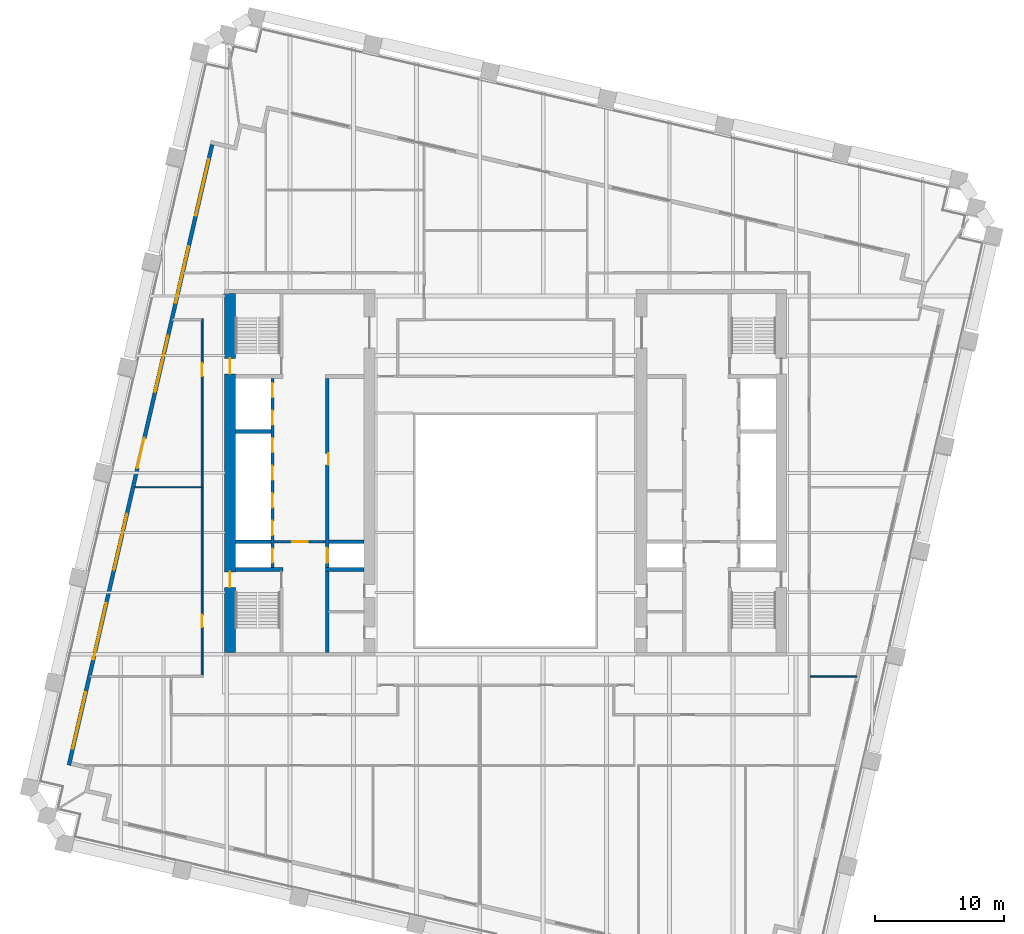
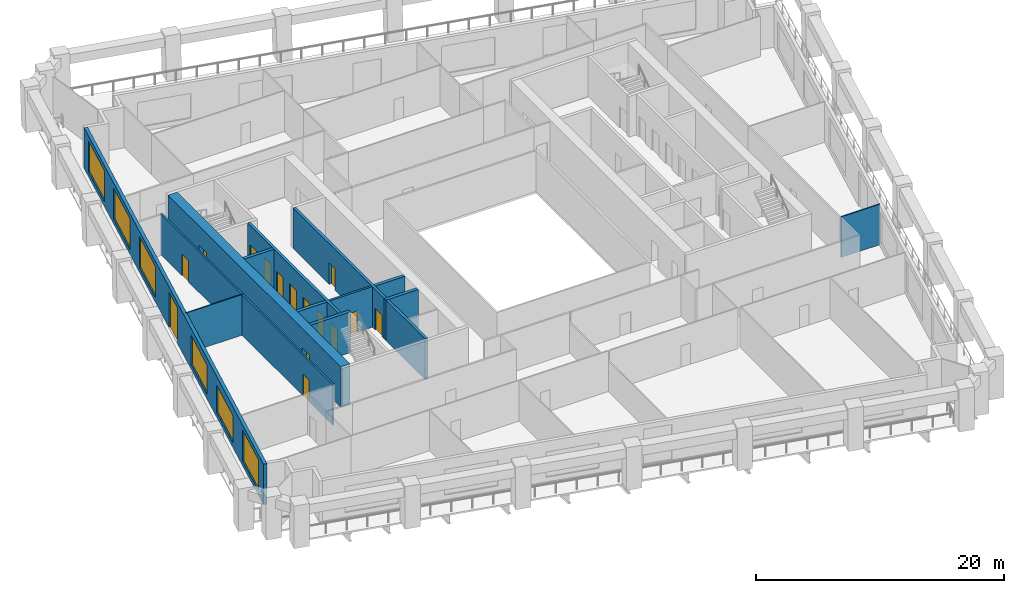
# One storey, part 5 of 10: 15 doors, 14 walls, 6 windows, 21 openings.
"""IFC4 building model written with IfcOpenShell, lengths in metres."""

from ifc_helpers import new_model, si_unit, direction, frame, frame_2d, origin, place, context, subcontext, project, spatial, rectangle, extrude, material, layer, layer_set, type_object, element, fill, save


model = new_model("IFC4")

# Units and contexts
model_context = context("Model", 3, precision=1e-05, world=origin(), true_north=direction((0.0, 1.0)))
body_context = subcontext(model_context, "Body", "Model", "MODEL_VIEW")
ifc_project = project(units=[si_unit("LENGTHUNIT", "METRE"), si_unit("AREAUNIT", "SQUARE_METRE"), si_unit("VOLUMEUNIT", "CUBIC_METRE"), si_unit("PLANEANGLEUNIT", "RADIAN"), si_unit("MASSUNIT", "GRAM", prefix="KILO")], contexts=[model_context])

# Site, building, storey
site_placement = place(None, origin())
site = spatial("IfcSite", under=ifc_project, at=site_placement, CompositionType="ELEMENT")
building_placement = place(site_placement, origin())
building = spatial("IfcBuilding", under=site, at=building_placement, Name="Ogive Exchange Tower", CompositionType="ELEMENT")
storey_placement = place(building_placement, frame((0.0, 0.0, 143.39990234375)))
storey = spatial("IfcBuildingStorey", under=building, at=storey_placement, Name="L31", CompositionType="ELEMENT", Elevation=143.39990234375)

# Wall, opening, door
ifc_material_1 = material(Name="Fire partition EI 60 150")
ifc_layer_1 = layer(ifc_material_1, 0.14990234375)
ifc_layer_set_1 = layer_set([ifc_layer_1], Name="Fire partition EI 60 150")
wall_type_1 = type_object("IfcWallType", Name="Fire partition EI 60 150", PredefinedType="PARTITIONING", material=ifc_layer_set_1)
wall_1_placement = place(storey_placement, frame((-23.60009765625, -4.2451171875, 0.0), z_axis=(0.0, 0.0, 1.0), x_axis=(0.0, 1.0, 0.0)))
wall_1 = element("IfcWall", 1, at=wall_1_placement, inside=storey, type_object=wall_type_1, Name="L31-PWL-008", PredefinedType="PARTITIONING", context=body_context, shape_type="SweptSolid", body=[
    extrude(rectangle(XDim=14.68505859375, YDim=0.14990234375, at=frame_2d((7.342529296875, 0.0))), origin(), (0.0, 0.0, 1.0), 4.0),
])
opening_1_placement = place(wall_1_placement, frame((3.735107421875, 0.0, 0.0)))
opening_1 = element("IfcOpeningElement", 2, at=opening_1_placement, cuts=wall_1, Name="Opening L31-I12", PredefinedType="OPENING", context=body_context, shape_type="SweptSolid", body=[
    extrude(rectangle(XDim=1.0, YDim=2.10009765625, at=frame_2d((0.5, 1.050048828125))), frame((0.0, 0.0849609375, 0.0), z_axis=(0.0, -1.0, 0.0), x_axis=(1.0, 0.0, 0.0)), (0.0, 0.0, 1.0), 0.169921875),
])
ifc_material_2 = material(Name="Fire door FD 30S 1000 x 2100")
door_type_1 = type_object("IfcDoorType", Name="Fire door FD 30S 1000 x 2100", OperationType="NOTDEFINED", PredefinedType="DOOR", material=ifc_material_2)
door_1_placement = place(opening_1_placement, origin())
door_1 = element("IfcDoor", 3, at=door_1_placement, inside=storey, type_object=door_type_1, Name="L31-IDR-012", ObjectType="DT3", OperationType="SINGLE_SWING_RIGHT", OverallHeight=2.10009765625, OverallWidth=1.0, PredefinedType="DOOR", context=body_context, shape_type="SweptSolid", body=[
    extrude(rectangle(XDim=1.0, YDim=2.10009765625, at=frame_2d((0.5, 1.050048828125))), frame((0.0, 0.02490234375, 0.0), z_axis=(0.0, -1.0, 0.0), x_axis=(1.0, 0.0, 0.0)), (0.0, 0.0, 1.0), 0.050048828125),
])
fill(opening_1, door_1)

wall_2_placement = place(storey_placement, frame((-23.60009765625, 10.389892578125, 0.0), z_axis=(0.0, 0.0, 1.0), x_axis=(0.0, 1.0, 0.0)))
wall_2 = element("IfcWall", 4, at=wall_2_placement, inside=storey, type_object=wall_type_1, Name="L31-PWL-010", PredefinedType="PARTITIONING", context=body_context, shape_type="SweptSolid", body=[
    extrude(rectangle(XDim=13.09521484375, YDim=0.14990234375, at=frame_2d((6.547607421875, 0.0))), origin(), (0.0, 0.0, 1.0), 4.0),
])
opening_2_placement = place(wall_2_placement, frame((8.6201171875, 0.0, 0.0)))
opening_2 = element("IfcOpeningElement", 5, at=opening_2_placement, cuts=wall_2, Name="Opening L31-I01", PredefinedType="OPENING", context=body_context, shape_type="SweptSolid", body=[
    extrude(rectangle(XDim=1.0, YDim=2.10009765625, at=frame_2d((0.5, 1.050048828125))), frame((0.0, 0.0849609375, 0.0), z_axis=(0.0, -1.0, 0.0), x_axis=(1.0, 0.0, 0.0)), (0.0, 0.0, 1.0), 0.169921875),
])
door_2_placement = place(opening_2_placement, origin())
door_2 = element("IfcDoor", 6, at=door_2_placement, inside=storey, type_object=door_type_1, Name="L31-IDR-001", ObjectType="DT3", OperationType="SINGLE_SWING_LEFT", OverallHeight=2.10009765625, OverallWidth=1.0, PredefinedType="DOOR", context=body_context, shape_type="SweptSolid", body=[
    extrude(rectangle(XDim=1.0, YDim=2.10009765625, at=frame_2d((0.5, 1.050048828125))), frame((0.0, 0.02490234375, 0.0), z_axis=(0.0, -1.0, 0.0), x_axis=(1.0, 0.0, 0.0)), (0.0, 0.0, 1.0), 0.050048828125),
])
fill(opening_2, door_2)

# Wall, openings, door, windows
ifc_material_3 = material(Name="Precast concrete C40/50", Category="concrete")
ifc_layer_2 = layer(ifc_material_3, 0.300048828125)
ifc_layer_set_2 = layer_set([ifc_layer_2], Name="Limestone-faced wall 300")
wall_type_2 = type_object("IfcWallType", Name="Limestone-faced wall 300", PredefinedType="STANDARD", material=ifc_layer_set_2)
wall_3_placement = place(storey_placement, frame((-22.8203125, 37.015625, 0.0), z_axis=(0.0, 0.0, 1.0), x_axis=(-0.224953880882, -0.974369412223, 0.0)))
wall_3 = element("IfcWall", 7, at=wall_3_placement, inside=storey, type_object=wall_type_2, Name="External wall W4", PredefinedType="STANDARD", context=body_context, shape_type="SweptSolid", body=[
    extrude(rectangle(XDim=49.500244140625, YDim=0.300048828125, at=frame_2d((24.75, 0.0))), origin(), (0.0, 0.0, 1.0), 4.0),
])
opening_3_placement = place(wall_3_placement, frame((1.156982421875, 0.0, 0.449951171875)))
opening_3 = element("IfcOpeningElement", 8, at=opening_3_placement, cuts=wall_3, Name="Opening W1", PredefinedType="OPENING", context=body_context, shape_type="SweptSolid", body=[
    extrude(rectangle(XDim=4.5, YDim=3.050048828125, at=frame_2d((2.25, 1.52490234375))), frame((0.0, 0.159912109375, 0.0), z_axis=(0.0, -1.0, 0.0), x_axis=(1.0, 0.0, 0.0)), (0.0, 0.0, 1.0), 0.320068359375),
])
opening_4_placement = place(wall_3_placement, frame((8.121337890625, 0.0, 0.449951171875)))
opening_4 = element("IfcOpeningElement", 9, at=opening_4_placement, cuts=wall_3, Name="Opening W1", PredefinedType="OPENING", context=body_context, shape_type="SweptSolid", body=[
    extrude(rectangle(XDim=4.5, YDim=3.050048828125, at=frame_2d((2.25, 1.52490234375))), frame((0.0, 0.159912109375, 0.0), z_axis=(0.0, -1.0, 0.0), x_axis=(1.0, 0.0, 0.0)), (0.0, 0.0, 1.0), 0.320068359375),
])
opening_5_placement = place(wall_3_placement, frame((15.235595703125, 0.0, 0.449951171875)))
opening_5 = element("IfcOpeningElement", 10, at=opening_5_placement, cuts=wall_3, Name="Opening W1", PredefinedType="OPENING", context=body_context, shape_type="SweptSolid", body=[
    extrude(rectangle(XDim=4.5, YDim=3.050048828125, at=frame_2d((2.25, 1.52490234375))), frame((0.0, 0.159912109375, 0.0), z_axis=(0.0, -1.0, 0.0), x_axis=(1.0, 0.0, 0.0)), (0.0, 0.0, 1.0), 0.320068359375),
])
opening_6_placement = place(wall_3_placement, frame((23.39990234375, 0.0, 0.0)))
opening_6 = element("IfcOpeningElement", 11, at=opening_6_placement, cuts=wall_3, Name="Opening D1", PredefinedType="OPENING", context=body_context, shape_type="SweptSolid", body=[
    extrude(rectangle(XDim=2.39990234375, YDim=3.5, at=frame_2d((1.199951171875, 1.75))), frame((0.0, 0.159912109375, 0.0), z_axis=(0.0, -1.0, 0.0), x_axis=(1.0, 0.0, 0.0)), (0.0, 0.0, 1.0), 0.320068359375),
])
opening_7_placement = place(wall_3_placement, frame((29.464111328125, 0.0, 0.449951171875)))
opening_7 = element("IfcOpeningElement", 12, at=opening_7_placement, cuts=wall_3, Name="Opening W1D", PredefinedType="OPENING", context=body_context, shape_type="SweptSolid", body=[
    extrude(rectangle(XDim=4.5, YDim=2.875, at=frame_2d((2.25, 1.4375))), frame((0.0, 0.159912109375, 0.0), z_axis=(0.0, -1.0, 0.0), x_axis=(1.0, 0.0, 0.0)), (0.0, 0.0, 1.0), 0.320068359375),
])
opening_8_placement = place(wall_3_placement, frame((36.57861328125, 0.0, 0.449951171875)))
opening_8 = element("IfcOpeningElement", 13, at=opening_8_placement, cuts=wall_3, Name="Opening W1J", PredefinedType="OPENING", context=body_context, shape_type="SweptSolid", body=[
    extrude(rectangle(XDim=4.5, YDim=2.675048828125, at=frame_2d((2.25, 1.33740234375))), frame((0.0, 0.159912109375, 0.0), z_axis=(0.0, -1.0, 0.0), x_axis=(1.0, 0.0, 0.0)), (0.0, 0.0, 1.0), 0.320068359375),
])
opening_9_placement = place(wall_3_placement, frame((43.69287109375, 0.0, 0.449951171875)))
opening_9 = element("IfcOpeningElement", 14, at=opening_9_placement, cuts=wall_3, Name="Opening W1", PredefinedType="OPENING", context=body_context, shape_type="SweptSolid", body=[
    extrude(rectangle(XDim=4.5, YDim=3.050048828125, at=frame_2d((2.25, 1.52490234375))), frame((0.0, 0.159912109375, 0.0), z_axis=(0.0, -1.0, 0.0), x_axis=(1.0, 0.0, 0.0)), (0.0, 0.0, 1.0), 0.320068359375),
])
ifc_material_4 = material(Name="Clear glass in bronze frame", Category="glass")
door_type_2 = type_object("IfcDoorType", Name="Sliding loggia door 2400 x 3500", OperationType="DOUBLE_DOOR_SLIDING", PredefinedType="DOOR", material=ifc_material_4)
door_3_placement = place(opening_6_placement, origin())
door_3 = element("IfcDoor", 15, at=door_3_placement, inside=storey, type_object=door_type_2, Name="Loggia door W03", OperationType="DOUBLE_DOOR_SLIDING", OverallHeight=3.5, OverallWidth=2.39990234375, PredefinedType="DOOR", context=body_context, shape_type="SweptSolid", body=[
    extrude(rectangle(XDim=2.39990234375, YDim=3.5, at=frame_2d((1.199951171875, 1.75))), frame((0.0, 0.02490234375, 0.0), z_axis=(0.0, -1.0, 0.0), x_axis=(1.0, 0.0, 0.0)), (0.0, 0.0, 1.0), 0.050048828125),
])
fill(opening_6, door_3)
window_type_1 = type_object("IfcWindowType", Name="Twin lancet window 4500 x 2675", PartitioningType="DOUBLE_PANEL_VERTICAL", PredefinedType="WINDOW", material=ifc_material_4)
window_1_placement = place(opening_8_placement, origin())
window_1 = element("IfcWindow", 16, at=window_1_placement, inside=storey, type_object=window_type_1, Name="Window W05", OverallHeight=2.675048828125, OverallWidth=4.5, PartitioningType="DOUBLE_PANEL_VERTICAL", PredefinedType="WINDOW", context=body_context, shape_type="SweptSolid", body=[
    extrude(rectangle(XDim=4.5, YDim=2.675048828125, at=frame_2d((2.25, 1.33740234375))), frame((0.0, 0.030029296875, 0.0), z_axis=(0.0, -1.0, 0.0), x_axis=(1.0, 0.0, 0.0)), (0.0, 0.0, 1.0), 0.06005859375),
])
fill(opening_8, window_1)
window_type_2 = type_object("IfcWindowType", Name="Twin lancet window 4500 x 2875", PartitioningType="DOUBLE_PANEL_VERTICAL", PredefinedType="WINDOW", material=ifc_material_4)
window_2_placement = place(opening_7_placement, origin())
window_2 = element("IfcWindow", 17, at=window_2_placement, inside=storey, type_object=window_type_2, Name="Window W04", OverallHeight=2.875, OverallWidth=4.5, PartitioningType="DOUBLE_PANEL_VERTICAL", PredefinedType="WINDOW", context=body_context, shape_type="SweptSolid", body=[
    extrude(rectangle(XDim=4.5, YDim=2.875, at=frame_2d((2.25, 1.4375))), frame((0.0, 0.030029296875, 0.0), z_axis=(0.0, -1.0, 0.0), x_axis=(1.0, 0.0, 0.0)), (0.0, 0.0, 1.0), 0.06005859375),
])
fill(opening_7, window_2)
window_type_3 = type_object("IfcWindowType", Name="Twin lancet window 4500 x 3050", PartitioningType="DOUBLE_PANEL_VERTICAL", PredefinedType="WINDOW", material=ifc_material_4)
window_3_placement = place(opening_3_placement, origin())
window_3 = element("IfcWindow", 18, at=window_3_placement, inside=storey, type_object=window_type_3, Name="Window W00", OverallHeight=3.050048828125, OverallWidth=4.5, PartitioningType="DOUBLE_PANEL_VERTICAL", PredefinedType="WINDOW", context=body_context, shape_type="SweptSolid", body=[
    extrude(rectangle(XDim=4.5, YDim=3.050048828125, at=frame_2d((2.25, 1.52490234375))), frame((0.0, 0.030029296875, 0.0), z_axis=(0.0, -1.0, 0.0), x_axis=(1.0, 0.0, 0.0)), (0.0, 0.0, 1.0), 0.06005859375),
])
fill(opening_3, window_3)
window_4_placement = place(opening_4_placement, origin())
window_4 = element("IfcWindow", 19, at=window_4_placement, inside=storey, type_object=window_type_3, Name="Window W01", OverallHeight=3.050048828125, OverallWidth=4.5, PartitioningType="DOUBLE_PANEL_VERTICAL", PredefinedType="WINDOW", context=body_context, shape_type="SweptSolid", body=[
    extrude(rectangle(XDim=4.5, YDim=3.050048828125, at=frame_2d((2.25, 1.52490234375))), frame((0.0, 0.030029296875, 0.0), z_axis=(0.0, -1.0, 0.0), x_axis=(1.0, 0.0, 0.0)), (0.0, 0.0, 1.0), 0.06005859375),
])
fill(opening_4, window_4)
window_5_placement = place(opening_5_placement, origin())
window_5 = element("IfcWindow", 20, at=window_5_placement, inside=storey, type_object=window_type_3, Name="Window W02", OverallHeight=3.050048828125, OverallWidth=4.5, PartitioningType="DOUBLE_PANEL_VERTICAL", PredefinedType="WINDOW", context=body_context, shape_type="SweptSolid", body=[
    extrude(rectangle(XDim=4.5, YDim=3.050048828125, at=frame_2d((2.25, 1.52490234375))), frame((0.0, 0.030029296875, 0.0), z_axis=(0.0, -1.0, 0.0), x_axis=(1.0, 0.0, 0.0)), (0.0, 0.0, 1.0), 0.06005859375),
])
fill(opening_5, window_5)
window_6_placement = place(opening_9_placement, origin())
window_6 = element("IfcWindow", 21, at=window_6_placement, inside=storey, type_object=window_type_3, Name="Window W06", OverallHeight=3.050048828125, OverallWidth=4.5, PartitioningType="DOUBLE_PANEL_VERTICAL", PredefinedType="WINDOW", context=body_context, shape_type="SweptSolid", body=[
    extrude(rectangle(XDim=4.5, YDim=3.050048828125, at=frame_2d((2.25, 1.52490234375))), frame((0.0, 0.030029296875, 0.0), z_axis=(0.0, -1.0, 0.0), x_axis=(1.0, 0.0, 0.0)), (0.0, 0.0, 1.0), 0.06005859375),
])
fill(opening_9, window_6)

# Walls
ifc_material_5 = material(Name="Partition 100 gypsum")
ifc_layer_3 = layer(ifc_material_5, 0.10009765625)
ifc_layer_set_3 = layer_set([ifc_layer_3], Name="Partition 100 gypsum")
wall_type_3 = type_object("IfcWallType", Name="Partition 100 gypsum", PredefinedType="PARTITIONING", material=ifc_layer_set_3)
wall_4_placement = place(storey_placement, frame((-23.675048828125, 10.389892578125, 0.0), z_axis=(0.0, 0.0, 1.0), x_axis=(-1.0, 0.0, 0.0)))
element("IfcWall", 22, at=wall_4_placement, inside=storey, type_object=wall_type_3, Name="L31-PWL-009", PredefinedType="PARTITIONING", context=body_context, shape_type="SweptSolid", body=[
    extrude(rectangle(XDim=5.220947265625, YDim=0.10009765625, at=frame_2d((2.6103515625, 0.0))), origin(), (0.0, 0.0, 1.0), 4.0),
])
wall_5_placement = place(storey_placement, frame((27.2958984375, -4.320068359375, 0.0), z_axis=(0.0, 0.0, 1.0), x_axis=(-1.0, 0.0, 0.0)))
element("IfcWall", 23, at=wall_5_placement, inside=storey, type_object=wall_type_3, Name="L31-PWL-061", PredefinedType="PARTITIONING", context=body_context, shape_type="SweptSolid", body=[
    extrude(rectangle(XDim=3.620849609375, YDim=0.10009765625, at=frame_2d((1.810546875, 0.0))), origin(), (0.0, 0.0, 1.0), 4.0),
])

# Wall, opening, door
ifc_material_6 = material(Name="Concrete C70/85", Category="concrete")
ifc_layer_4 = layer(ifc_material_6, 0.199951171875)
ifc_layer_set_4 = layer_set([ifc_layer_4], Name="RC core wall 200 C70/85")
wall_type_4 = type_object("IfcWallType", Name="RC core wall 200 C70/85", PredefinedType="SHEAR", material=ifc_layer_set_4)
wall_6_placement = place(storey_placement, frame((-18.0, 6.142822265625, 0.0), z_axis=(0.0, 0.0, 1.0), x_axis=(1.0, 0.0, 0.0)))
wall_6 = element("IfcWall", 24, at=wall_6_placement, inside=storey, type_object=wall_type_4, Name="W firefighting lobby wall", PredefinedType="SHEAR", context=body_context, shape_type="SweptSolid", body=[
    extrude(rectangle(XDim=4.0, YDim=0.199951171875, at=frame_2d((2.0, 0.0))), origin(), (0.0, 0.0, 1.0), 4.0),
])
opening_10_placement = place(wall_6_placement, frame((1.39990234375, 0.0, 0.0)))
opening_10 = element("IfcOpeningElement", 25, at=opening_10_placement, cuts=wall_6, Name="Opening L31-C10", PredefinedType="OPENING", context=body_context, shape_type="SweptSolid", body=[
    extrude(rectangle(XDim=1.199951171875, YDim=2.10009765625, at=frame_2d((0.60009765625, 1.050048828125))), frame((0.0, 0.10986328125, 0.0), z_axis=(0.0, -1.0, 0.0), x_axis=(1.0, 0.0, 0.0)), (0.0, 0.0, 1.0), 0.219970703125),
])
ifc_material_7 = material(Name="Steel fire door", Category="steel")
door_type_3 = type_object("IfcDoorType", Name="Firefighting lobby door FD60 1200 x 2100", OperationType="NOTDEFINED", PredefinedType="DOOR", material=ifc_material_7)
door_4_placement = place(opening_10_placement, frame((1.199951171875, 0.0, 0.0), z_axis=(0.0, 0.0, 1.0), x_axis=(-1.0, 0.0, 0.0)))
door_4 = element("IfcDoor", 26, at=door_4_placement, inside=storey, type_object=door_type_3, Name="Firefighting lobby door", ObjectType="CD3", OperationType="SINGLE_SWING_LEFT", OverallHeight=2.10009765625, OverallWidth=1.199951171875, PredefinedType="DOOR", context=body_context, shape_type="SweptSolid", body=[
    extrude(rectangle(XDim=1.199951171875, YDim=2.10009765625, at=frame_2d((0.60009765625, 1.050048828125))), frame((0.0, 0.02490234375, 0.0), z_axis=(0.0, -1.0, 0.0), x_axis=(1.0, 0.0, 0.0)), (0.0, 0.0, 1.0), 0.050048828125),
])
fill(opening_10, door_4)

# Wall, openings, doors
ifc_layer_5 = layer(ifc_material_6, 0.25)
ifc_layer_set_5 = layer_set([ifc_layer_5], Name="RC core wall 250 C70/85")
wall_type_5 = type_object("IfcWallType", Name="RC core wall 250 C70/85", PredefinedType="SHEAR", material=ifc_layer_set_5)
wall_7_placement = place(storey_placement, frame((-18.125, 4.14990234375, 0.0), z_axis=(0.0, 0.0, 1.0), x_axis=(0.0, 1.0, 0.0)))
wall_7 = element("IfcWall", 27, at=wall_7_placement, inside=storey, type_object=wall_type_5, Name="W row A front wall", PredefinedType="SHEAR", context=body_context, shape_type="SweptSolid", body=[
    extrude(rectangle(XDim=14.7001953125, YDim=0.25, at=frame_2d((7.35009765625, 0.0))), origin(), (0.0, 0.0, 1.0), 4.0),
])
opening_11_placement = place(wall_7_placement, frame((0.371337890625, 0.0, 0.0)))
opening_11 = element("IfcOpeningElement", 28, at=opening_11_placement, cuts=wall_7, Name="Opening L31-C01", PredefinedType="OPENING", context=body_context, shape_type="SweptSolid", body=[
    extrude(rectangle(XDim=1.10009765625, YDim=2.10009765625, at=frame_2d((0.550048828125, 1.050048828125))), frame((0.0, 0.135009765625, 0.0), z_axis=(0.0, -1.0, 0.0), x_axis=(1.0, 0.0, 0.0)), (0.0, 0.0, 1.0), 0.27001953125),
])
opening_12_placement = place(wall_7_placement, frame((2.514404296875, 0.0, 0.0)))
opening_12 = element("IfcOpeningElement", 29, at=opening_12_placement, cuts=wall_7, Name="Opening L31-C02", PredefinedType="OPENING", context=body_context, shape_type="SweptSolid", body=[
    extrude(rectangle(XDim=1.10009765625, YDim=2.10009765625, at=frame_2d((0.550048828125, 1.050048828125))), frame((0.0, 0.135009765625, 0.0), z_axis=(0.0, -1.0, 0.0), x_axis=(1.0, 0.0, 0.0)), (0.0, 0.0, 1.0), 0.27001953125),
])
opening_13_placement = place(wall_7_placement, frame((4.656982421875, 0.0, 0.0)))
opening_13 = element("IfcOpeningElement", 30, at=opening_13_placement, cuts=wall_7, Name="Opening L31-C03", PredefinedType="OPENING", context=body_context, shape_type="SweptSolid", body=[
    extrude(rectangle(XDim=1.10009765625, YDim=2.10009765625, at=frame_2d((0.550048828125, 1.050048828125))), frame((0.0, 0.135009765625, 0.0), z_axis=(0.0, -1.0, 0.0), x_axis=(1.0, 0.0, 0.0)), (0.0, 0.0, 1.0), 0.27001953125),
])
opening_14_placement = place(wall_7_placement, frame((6.800048828125, 0.0, 0.0)))
opening_14 = element("IfcOpeningElement", 31, at=opening_14_placement, cuts=wall_7, Name="Opening L31-C04", PredefinedType="OPENING", context=body_context, shape_type="SweptSolid", body=[
    extrude(rectangle(XDim=1.10009765625, YDim=2.10009765625, at=frame_2d((0.550048828125, 1.050048828125))), frame((0.0, 0.135009765625, 0.0), z_axis=(0.0, -1.0, 0.0), x_axis=(1.0, 0.0, 0.0)), (0.0, 0.0, 1.0), 0.27001953125),
])
opening_15_placement = place(wall_7_placement, frame((8.94287109375, 0.0, 0.0)))
opening_15 = element("IfcOpeningElement", 32, at=opening_15_placement, cuts=wall_7, Name="Opening L31-C05", PredefinedType="OPENING", context=body_context, shape_type="SweptSolid", body=[
    extrude(rectangle(XDim=1.10009765625, YDim=2.10009765625, at=frame_2d((0.550048828125, 1.050048828125))), frame((0.0, 0.135009765625, 0.0), z_axis=(0.0, -1.0, 0.0), x_axis=(1.0, 0.0, 0.0)), (0.0, 0.0, 1.0), 0.27001953125),
])
opening_16_placement = place(wall_7_placement, frame((11.085693359375, 0.0, 0.0)))
opening_16 = element("IfcOpeningElement", 33, at=opening_16_placement, cuts=wall_7, Name="Opening L31-C06", PredefinedType="OPENING", context=body_context, shape_type="SweptSolid", body=[
    extrude(rectangle(XDim=1.10009765625, YDim=2.10009765625, at=frame_2d((0.550048828125, 1.050048828125))), frame((0.0, 0.135009765625, 0.0), z_axis=(0.0, -1.0, 0.0), x_axis=(1.0, 0.0, 0.0)), (0.0, 0.0, 1.0), 0.27001953125),
])
opening_17_placement = place(wall_7_placement, frame((13.228515625, 0.0, 0.0)))
opening_17 = element("IfcOpeningElement", 34, at=opening_17_placement, cuts=wall_7, Name="Opening L31-C07", PredefinedType="OPENING", context=body_context, shape_type="SweptSolid", body=[
    extrude(rectangle(XDim=1.10009765625, YDim=2.10009765625, at=frame_2d((0.550048828125, 1.050048828125))), frame((0.0, 0.135009765625, 0.0), z_axis=(0.0, -1.0, 0.0), x_axis=(1.0, 0.0, 0.0)), (0.0, 0.0, 1.0), 0.27001953125),
])
ifc_material_8 = material(Name="Stainless steel", Category="steel")
door_type_4 = type_object("IfcDoorType", Name="Lift landing door FD90 1100 x 2100", OperationType="SLIDING_TO_LEFT", PredefinedType="DOOR", material=ifc_material_8)
door_5_placement = place(opening_11_placement, origin())
door_5 = element("IfcDoor", 35, at=door_5_placement, inside=storey, type_object=door_type_4, Name="Lift landing door FF1", ObjectType="LD", OperationType="SLIDING_TO_LEFT", OverallHeight=2.10009765625, OverallWidth=1.10009765625, PredefinedType="DOOR", context=body_context, shape_type="SweptSolid", body=[
    extrude(rectangle(XDim=1.10009765625, YDim=2.10009765625, at=frame_2d((0.550048828125, 1.050048828125))), frame((0.0, 0.02490234375, 0.0), z_axis=(0.0, -1.0, 0.0), x_axis=(1.0, 0.0, 0.0)), (0.0, 0.0, 1.0), 0.050048828125),
])
fill(opening_11, door_5)
door_6_placement = place(opening_12_placement, origin())
door_6 = element("IfcDoor", 36, at=door_6_placement, inside=storey, type_object=door_type_4, Name="Lift landing door W-L1", ObjectType="LD", OperationType="SLIDING_TO_LEFT", OverallHeight=2.10009765625, OverallWidth=1.10009765625, PredefinedType="DOOR", context=body_context, shape_type="SweptSolid", body=[
    extrude(rectangle(XDim=1.10009765625, YDim=2.10009765625, at=frame_2d((0.550048828125, 1.050048828125))), frame((0.0, 0.02490234375, 0.0), z_axis=(0.0, -1.0, 0.0), x_axis=(1.0, 0.0, 0.0)), (0.0, 0.0, 1.0), 0.050048828125),
])
fill(opening_12, door_6)
door_7_placement = place(opening_13_placement, origin())
door_7 = element("IfcDoor", 37, at=door_7_placement, inside=storey, type_object=door_type_4, Name="Lift landing door W-L2", ObjectType="LD", OperationType="SLIDING_TO_LEFT", OverallHeight=2.10009765625, OverallWidth=1.10009765625, PredefinedType="DOOR", context=body_context, shape_type="SweptSolid", body=[
    extrude(rectangle(XDim=1.10009765625, YDim=2.10009765625, at=frame_2d((0.550048828125, 1.050048828125))), frame((0.0, 0.02490234375, 0.0), z_axis=(0.0, -1.0, 0.0), x_axis=(1.0, 0.0, 0.0)), (0.0, 0.0, 1.0), 0.050048828125),
])
fill(opening_13, door_7)
door_8_placement = place(opening_14_placement, origin())
door_8 = element("IfcDoor", 38, at=door_8_placement, inside=storey, type_object=door_type_4, Name="Lift landing door W-L3", ObjectType="LD", OperationType="SLIDING_TO_LEFT", OverallHeight=2.10009765625, OverallWidth=1.10009765625, PredefinedType="DOOR", context=body_context, shape_type="SweptSolid", body=[
    extrude(rectangle(XDim=1.10009765625, YDim=2.10009765625, at=frame_2d((0.550048828125, 1.050048828125))), frame((0.0, 0.02490234375, 0.0), z_axis=(0.0, -1.0, 0.0), x_axis=(1.0, 0.0, 0.0)), (0.0, 0.0, 1.0), 0.050048828125),
])
fill(opening_14, door_8)
door_9_placement = place(opening_15_placement, origin())
door_9 = element("IfcDoor", 39, at=door_9_placement, inside=storey, type_object=door_type_4, Name="Lift landing door W-L4", ObjectType="LD", OperationType="SLIDING_TO_LEFT", OverallHeight=2.10009765625, OverallWidth=1.10009765625, PredefinedType="DOOR", context=body_context, shape_type="SweptSolid", body=[
    extrude(rectangle(XDim=1.10009765625, YDim=2.10009765625, at=frame_2d((0.550048828125, 1.050048828125))), frame((0.0, 0.02490234375, 0.0), z_axis=(0.0, -1.0, 0.0), x_axis=(1.0, 0.0, 0.0)), (0.0, 0.0, 1.0), 0.050048828125),
])
fill(opening_15, door_9)
door_10_placement = place(opening_16_placement, origin())
door_10 = element("IfcDoor", 40, at=door_10_placement, inside=storey, type_object=door_type_4, Name="Lift landing door W-SH1", ObjectType="LD", OperationType="SLIDING_TO_LEFT", OverallHeight=2.10009765625, OverallWidth=1.10009765625, PredefinedType="DOOR", context=body_context, shape_type="SweptSolid", body=[
    extrude(rectangle(XDim=1.10009765625, YDim=2.10009765625, at=frame_2d((0.550048828125, 1.050048828125))), frame((0.0, 0.02490234375, 0.0), z_axis=(0.0, -1.0, 0.0), x_axis=(1.0, 0.0, 0.0)), (0.0, 0.0, 1.0), 0.050048828125),
])
fill(opening_16, door_10)
door_11_placement = place(opening_17_placement, origin())
door_11 = element("IfcDoor", 41, at=door_11_placement, inside=storey, type_object=door_type_4, Name="Lift landing door W-SH2", ObjectType="LD", OperationType="SLIDING_TO_LEFT", OverallHeight=2.10009765625, OverallWidth=1.10009765625, PredefinedType="DOOR", context=body_context, shape_type="SweptSolid", body=[
    extrude(rectangle(XDim=1.10009765625, YDim=2.10009765625, at=frame_2d((0.550048828125, 1.050048828125))), frame((0.0, 0.02490234375, 0.0), z_axis=(0.0, -1.0, 0.0), x_axis=(1.0, 0.0, 0.0)), (0.0, 0.0, 1.0), 0.050048828125),
])
fill(opening_17, door_11)

wall_8_placement = place(storey_placement, frame((-13.875, -2.449951171875, 0.0), z_axis=(0.0, 0.0, 1.0), x_axis=(0.0, 1.0, 0.0)))
wall_8 = element("IfcWall", 42, at=wall_8_placement, inside=storey, type_object=wall_type_5, Name="W row B front wall", PredefinedType="SHEAR", context=body_context, shape_type="SweptSolid", body=[
    extrude(rectangle(XDim=21.300048828125, YDim=0.25, at=frame_2d((10.64990234375, 0.0))), origin(), (0.0, 0.0, 1.0), 4.0),
])
opening_18_placement = place(wall_8_placement, frame((14.5712890625, 0.0, 0.0)))
opening_18 = element("IfcOpeningElement", 43, at=opening_18_placement, cuts=wall_8, Name="Opening L31-C08", PredefinedType="OPENING", context=body_context, shape_type="SweptSolid", body=[
    extrude(rectangle(XDim=0.89990234375, YDim=2.10009765625, at=frame_2d((0.449951171875, 1.050048828125))), frame((0.0, 0.135009765625, 0.0), z_axis=(0.0, -1.0, 0.0), x_axis=(1.0, 0.0, 0.0)), (0.0, 0.0, 1.0), 0.27001953125),
])
opening_19_placement = place(wall_8_placement, frame((6.971435546875, 0.0, 0.0)))
opening_19 = element("IfcOpeningElement", 44, at=opening_19_placement, cuts=wall_8, Name="Opening L31-C09", PredefinedType="OPENING", context=body_context, shape_type="SweptSolid", body=[
    extrude(rectangle(XDim=1.10009765625, YDim=2.10009765625, at=frame_2d((0.550048828125, 1.050048828125))), frame((0.0, 0.135009765625, 0.0), z_axis=(0.0, -1.0, 0.0), x_axis=(1.0, 0.0, 0.0)), (0.0, 0.0, 1.0), 0.27001953125),
])
door_12_placement = place(opening_19_placement, origin())
door_12 = element("IfcDoor", 45, at=door_12_placement, inside=storey, type_object=door_type_4, Name="Lift landing door SV1", ObjectType="LD", OperationType="SLIDING_TO_LEFT", OverallHeight=2.10009765625, OverallWidth=1.10009765625, PredefinedType="DOOR", context=body_context, shape_type="SweptSolid", body=[
    extrude(rectangle(XDim=1.10009765625, YDim=2.10009765625, at=frame_2d((0.550048828125, 1.050048828125))), frame((0.0, 0.02490234375, 0.0), z_axis=(0.0, -1.0, 0.0), x_axis=(1.0, 0.0, 0.0)), (0.0, 0.0, 1.0), 0.050048828125),
])
fill(opening_19, door_12)
door_type_5 = type_object("IfcDoorType", Name="Riser door FD60 900 x 2100", OperationType="NOTDEFINED", PredefinedType="DOOR", material=ifc_material_7)
door_13_placement = place(opening_18_placement, frame((0.89990234375, -0.2001953125, 0.0), z_axis=(0.0, 0.0, 1.0), x_axis=(-1.0, 0.0, 0.0)))
door_13 = element("IfcDoor", 46, at=door_13_placement, inside=storey, type_object=door_type_5, Name="Riser door", ObjectType="CD2", OperationType="SINGLE_SWING_RIGHT", OverallHeight=2.10009765625, OverallWidth=0.89990234375, PredefinedType="DOOR", context=body_context, shape_type="SweptSolid", body=[
    extrude(rectangle(XDim=0.89990234375, YDim=2.10009765625, at=frame_2d((0.449951171875, 1.050048828125))), frame((0.0, -0.0751953125, 0.0), z_axis=(0.0, -1.0, 0.0), x_axis=(1.0, 0.0, 0.0)), (0.0, 0.0, 1.0), 0.050048828125),
])
fill(opening_18, door_13)

# Walls
ifc_layer_6 = layer(ifc_material_6, 0.300048828125)
ifc_layer_set_6 = layer_set([ifc_layer_6], Name="RC core wall 300 C70/85")
wall_type_6 = type_object("IfcWallType", Name="RC core wall 300 C70/85", PredefinedType="SHEAR", material=ifc_layer_set_6)
wall_9_placement = place(storey_placement, frame((-21.0, 4.0, 0.0), z_axis=(0.0, 0.0, 1.0), x_axis=(1.0, 0.0, 0.0)))
element("IfcWall", 47, at=wall_9_placement, inside=storey, type_object=wall_type_6, Name="W stair S north wall", PredefinedType="SHEAR", context=body_context, shape_type="SweptSolid", body=[
    extrude(rectangle(XDim=3.699951171875, YDim=0.300048828125, at=frame_2d((1.85009765625, 0.0))), origin(), (0.0, 0.0, 1.0), 4.0),
])
for number, where, z_axis, x_axis, name in (
    (48, (-21.0, 6.142822265625, 0.0), (0.0, 0.0, 1.0), (1.0, 0.0, 0.0), "W row A divider 1"),
    (49, (-21.0, 14.71435546875, 0.0), (0.0, 0.0, 1.0), (1.0, 0.0, 0.0), "W row A divider 5"),
):
    element("IfcWall", number, at=place(storey_placement, frame(where, z_axis=z_axis, x_axis=x_axis)), inside=storey, type_object=wall_type_6, Name=name, PredefinedType="SHEAR", context=body_context, shape_type="SweptSolid", body=[
        extrude(rectangle(XDim=2.75, YDim=0.300048828125, at=frame_2d((1.375, 0.0))), origin(), (0.0, 0.0, 1.0), 4.0),
    ])
wall_10_placement = place(storey_placement, frame((-14.0, 4.0, 0.0), z_axis=(0.0, 0.0, 1.0), x_axis=(1.0, 0.0, 0.0)))
element("IfcWall", 50, at=wall_10_placement, inside=storey, type_object=wall_type_6, Name="W row B divider 0", PredefinedType="SHEAR", context=body_context, shape_type="SweptSolid", body=[
    extrude(rectangle(XDim=3.0, YDim=0.300048828125, at=frame_2d((1.5, 0.0))), origin(), (0.0, 0.0, 1.0), 4.0),
])
wall_11_placement = place(storey_placement, frame((-13.75, 6.142822265625, 0.0), z_axis=(0.0, 0.0, 1.0), x_axis=(1.0, 0.0, 0.0)))
element("IfcWall", 51, at=wall_11_placement, inside=storey, type_object=wall_type_6, Name="W row B divider 1", PredefinedType="SHEAR", context=body_context, shape_type="SweptSolid", body=[
    extrude(rectangle(XDim=2.75, YDim=0.300048828125, at=frame_2d((1.375, 0.0))), origin(), (0.0, 0.0, 1.0), 4.0),
])

# Wall, openings, doors
ifc_layer_7 = layer(ifc_material_6, 0.85009765625)
ifc_layer_set_7 = layer_set([ifc_layer_7], Name="RC core wall 850 C70/85")
wall_type_7 = type_object("IfcWallType", Name="RC core wall 850 C70/85", PredefinedType="SHEAR", material=ifc_layer_set_7)
wall_12_placement = place(storey_placement, frame((-21.425048828125, -2.449951171875, 0.0), z_axis=(0.0, 0.0, 1.0), x_axis=(0.0, 1.0, 0.0)))
wall_12 = element("IfcWall", 52, at=wall_12_placement, inside=storey, type_object=wall_type_7, Name="W outer wall", PredefinedType="SHEAR", context=body_context, shape_type="SweptSolid", body=[
    extrude(rectangle(XDim=27.89990234375, YDim=0.85009765625, at=frame_2d((13.949951171875, 0.0))), origin(), (0.0, 0.0, 1.0), 4.0),
])
opening_20_placement = place(wall_12_placement, frame((5.050048828125, 0.0, 0.0)))
opening_20 = element("IfcOpeningElement", 53, at=opening_20_placement, cuts=wall_12, Name="Opening L31-C13", PredefinedType="OPENING", context=body_context, shape_type="SweptSolid", body=[
    extrude(rectangle(XDim=1.199951171875, YDim=2.10009765625, at=frame_2d((0.60009765625, 1.050048828125))), frame((0.0, 0.43505859375, 0.0), z_axis=(0.0, -1.0, 0.0), x_axis=(1.0, 0.0, 0.0)), (0.0, 0.0, 1.0), 0.8701171875),
])
opening_21_placement = place(wall_12_placement, frame((21.64990234375, 0.0, 0.0)))
opening_21 = element("IfcOpeningElement", 54, at=opening_21_placement, cuts=wall_12, Name="Opening L31-C15", PredefinedType="OPENING", context=body_context, shape_type="SweptSolid", body=[
    extrude(rectangle(XDim=1.199951171875, YDim=2.10009765625, at=frame_2d((0.60009765625, 1.050048828125))), frame((0.0, 0.43505859375, 0.0), z_axis=(0.0, -1.0, 0.0), x_axis=(1.0, 0.0, 0.0)), (0.0, 0.0, 1.0), 0.8701171875),
])
door_type_6 = type_object("IfcDoorType", Name="Stair door FD90 1200 x 2100", OperationType="NOTDEFINED", PredefinedType="DOOR", material=ifc_material_7)
door_14_placement = place(opening_20_placement, frame((1.199951171875, 0.0, 0.0), z_axis=(0.0, 0.0, 1.0), x_axis=(-1.0, 0.0, 0.0)))
door_14 = element("IfcDoor", 55, at=door_14_placement, inside=storey, type_object=door_type_6, Name="Stair door", ObjectType="CD5", OperationType="SINGLE_SWING_RIGHT", OverallHeight=2.10009765625, OverallWidth=1.199951171875, PredefinedType="DOOR", context=body_context, shape_type="SweptSolid", body=[
    extrude(rectangle(XDim=1.199951171875, YDim=2.10009765625, at=frame_2d((0.60009765625, 1.050048828125))), frame((0.0, 0.02490234375, 0.0), z_axis=(0.0, -1.0, 0.0), x_axis=(1.0, 0.0, 0.0)), (0.0, 0.0, 1.0), 0.050048828125),
])
fill(opening_20, door_14)
door_15_placement = place(opening_21_placement, frame((1.199951171875, 0.0, 0.0), z_axis=(0.0, 0.0, 1.0), x_axis=(-1.0, 0.0, 0.0)))
door_15 = element("IfcDoor", 56, at=door_15_placement, inside=storey, type_object=door_type_6, Name="Stair door", ObjectType="CD5", OperationType="SINGLE_SWING_LEFT", OverallHeight=2.10009765625, OverallWidth=1.199951171875, PredefinedType="DOOR", context=body_context, shape_type="SweptSolid", body=[
    extrude(rectangle(XDim=1.199951171875, YDim=2.10009765625, at=frame_2d((0.60009765625, 1.050048828125))), frame((0.0, 0.02490234375, 0.0), z_axis=(0.0, -1.0, 0.0), x_axis=(1.0, 0.0, 0.0)), (0.0, 0.0, 1.0), 0.050048828125),
])
fill(opening_21, door_15)

save(model, "model.ifc")
